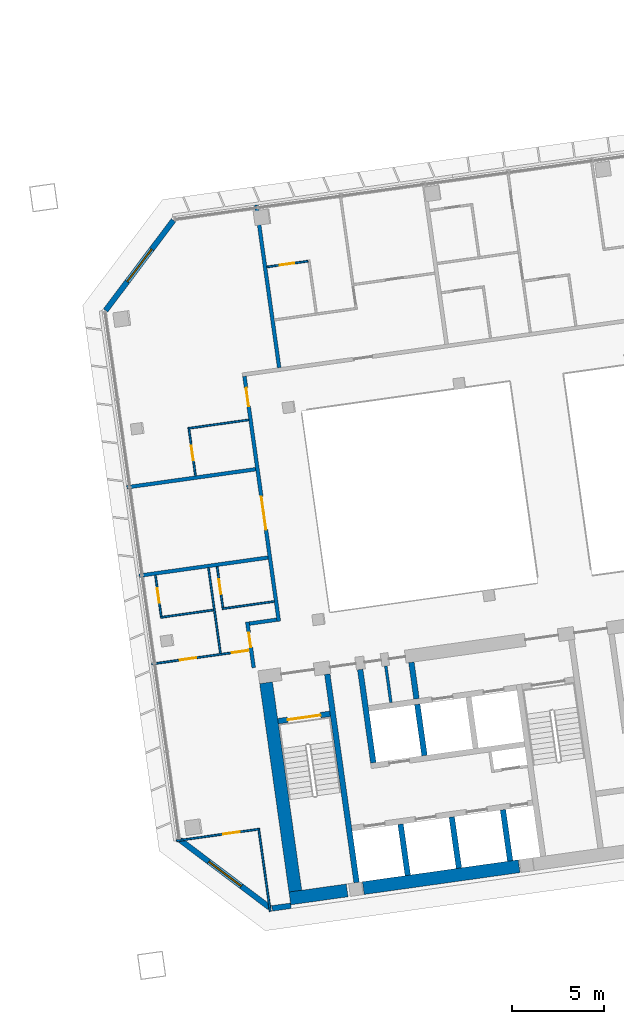
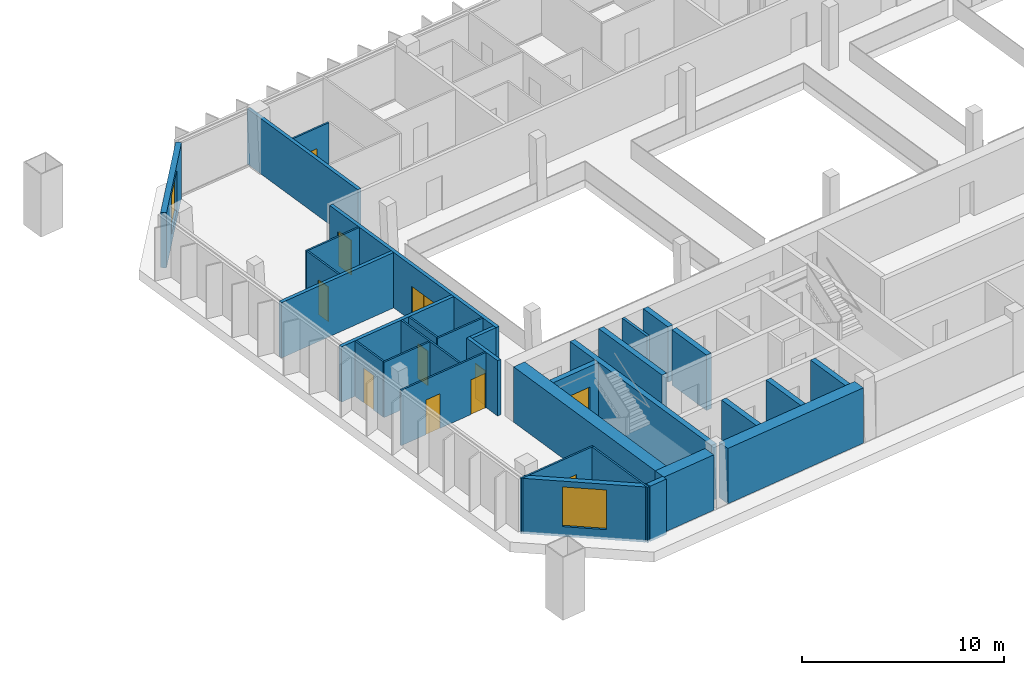
# One storey, part 17 of 23: 32 walls, 11 doors, 2 windows, 13 openings.
"""IFC4 building model written with IfcOpenShell, lengths in metres."""

from ifc_helpers import new_model, si_unit, direction, frame, frame_2d, origin, place, context, subcontext, project, spatial, rectangle, extrude, material, layer, layer_set, type_object, element, fill, save


model = new_model("IFC4")

# Units and contexts
model_context = context("Model", 3, precision=1e-05, world=origin(), true_north=direction((0.0, 1.0)))
body_context = subcontext(model_context, "Body", "Model", "MODEL_VIEW")
ifc_project = project(units=[si_unit("LENGTHUNIT", "METRE"), si_unit("AREAUNIT", "SQUARE_METRE"), si_unit("VOLUMEUNIT", "CUBIC_METRE"), si_unit("PLANEANGLEUNIT", "RADIAN"), si_unit("MASSUNIT", "GRAM", prefix="KILO")], contexts=[model_context])

# Site, building, storey
site_placement = place(None, origin())
site = spatial("IfcSite", under=ifc_project, at=site_placement, CompositionType="ELEMENT")
building_placement = place(site_placement, origin())
building = spatial("IfcBuilding", under=site, at=building_placement, Name="Mirante Cascada Hotel Towers", CompositionType="ELEMENT")
storey_placement = place(building_placement, frame((0.0, 0.0, 180.2)))
storey = spatial("IfcBuildingStorey", under=building, at=storey_placement, Name="L42", CompositionType="ELEMENT", Elevation=180.2)

# Walls
ifc_material_1 = material(Name="Fire-rated plasterboard on metal studs")
ifc_layer_1 = layer(ifc_material_1, 0.2)
ifc_layer_set_1 = layer_set([ifc_layer_1], Name="Compartment wall 200 EI 120")
wall_type_1 = type_object("IfcWallType", Name="Compartment wall 200 EI 120", PredefinedType="PARTITIONING", material=ifc_layer_set_1)
wall_1_placement = place(storey_placement, frame((35.0284, -4.7267, 0.0), z_axis=(0.0, 0.0, 1.0), x_axis=(0.9902735, 0.1391343, 0.0)))
element("IfcWall", 1, at=wall_1_placement, inside=storey, type_object=wall_type_1, Name="Wall 2-L42-03", PredefinedType="PARTITIONING", context=body_context, shape_type="SweptSolid", body=[
    extrude(rectangle(XDim=1.5, YDim=0.2, at=frame_2d((0.75, 0.0))), origin(), (0.0, 0.0, 1.0), 3.35),
])
for number, where, z_axis, x_axis, name in (
    (2, (36.0406, -1.151, 0.0), (0.0, 0.0, 1.0), (-0.9902679, -0.1391744, 0.0), "Wall 2-L42-06"),
    (3, (28.3886, 2.6543, 0.0), (0.0, 0.0, 1.0), (0.9902679, 0.1391744, 0.0), "Wall 2-L42-07"),
):
    element("IfcWall", number, at=place(storey_placement, frame(where, z_axis=z_axis, x_axis=x_axis)), inside=storey, type_object=wall_type_1, Name=name, PredefinedType="PARTITIONING", context=body_context, shape_type="SweptSolid", body=[
        extrude(rectangle(XDim=7.048, YDim=0.2, at=frame_2d((3.524, 0.0))), origin(), (0.0, 0.0, 1.0), 3.35),
    ])

# Wall, opening, door
wall_2_placement = place(storey_placement, frame((34.9155, -4.6416, 0.0), z_axis=(0.0, 0.0, 1.0), x_axis=(0.1391586, -0.9902701, 0.0)))
wall_2 = element("IfcWall", 4, at=wall_2_placement, inside=storey, type_object=wall_type_1, Name="Wall 2-L42-26", PredefinedType="PARTITIONING", context=body_context, shape_type="SweptSolid", body=[
    extrude(rectangle(XDim=2.5, YDim=0.2, at=frame_2d((1.25, 0.0))), origin(), (0.0, 0.0, 1.0), 3.35),
])
opening_1_placement = place(wall_2_placement, frame((0.5833, 0.0, 0.0)))
opening_1 = element("IfcOpeningElement", 5, at=opening_1_placement, cuts=wall_2, Name="Opening D2-L42-21", PredefinedType="OPENING", context=body_context, shape_type="SweptSolid", body=[
    extrude(rectangle(XDim=0.8, YDim=2.1, at=frame_2d((0.4, 1.05))), frame((0.0, 0.1, 0.0), z_axis=(0.0, -1.0, 0.0), x_axis=(1.0, 0.0, 0.0)), (0.0, 0.0, 1.0), 0.2),
])
ifc_material_2 = material(Name="Fire-rated timber door leaf", Category="wood")
door_type_1 = type_object("IfcDoorType", Name="Bathroom door DG4 800x2100 EI 60", OperationType="SINGLE_SWING_LEFT", PredefinedType="DOOR", material=ifc_material_2)
door_1_placement = place(opening_1_placement, origin())
door_1 = element("IfcDoor", 6, at=door_1_placement, inside=storey, type_object=door_type_1, Name="Door D2-L42-21", OperationType="SINGLE_SWING_LEFT", OverallHeight=2.1, OverallWidth=0.8, PredefinedType="DOOR", context=body_context, shape_type="SweptSolid", body=[
    extrude(rectangle(XDim=0.8, YDim=2.1, at=frame_2d((0.4, 1.05))), frame((0.0, 0.025, 0.0), z_axis=(0.0, -1.0, 0.0), x_axis=(1.0, 0.0, 0.0)), (0.0, 0.0, 1.0), 0.05),
])
fill(opening_1, door_1)

# Wall, openings, doors
wall_3_placement = place(storey_placement, frame((36.6268, -4.6031, 0.0), z_axis=(0.0, 0.0, 1.0), x_axis=(-0.1391789, 0.9902673, 0.0)))
wall_3 = element("IfcWall", 7, at=wall_3_placement, inside=storey, type_object=wall_type_1, Name="Wall 2-L42-27", PredefinedType="PARTITIONING", context=body_context, shape_type="SweptSolid", body=[
    extrude(rectangle(XDim=13.4, YDim=0.2, at=frame_2d((6.7, 0.0))), origin(), (0.0, 0.0, 1.0), 3.35),
])
opening_2_placement = place(wall_3_placement, frame((5.0167, 0.0, 0.0)))
opening_2 = element("IfcOpeningElement", 8, at=opening_2_placement, cuts=wall_3, Name="Opening D2-L42-22", PredefinedType="OPENING", context=body_context, shape_type="SweptSolid", body=[
    extrude(rectangle(XDim=1.8, YDim=2.1, at=frame_2d((0.9, 1.05))), frame((0.0, 0.1, 0.0), z_axis=(0.0, -1.0, 0.0), x_axis=(1.0, 0.0, 0.0)), (0.0, 0.0, 1.0), 0.2),
])
opening_3_placement = place(wall_3_placement, frame((11.7667, 0.0, 0.0)))
opening_3 = element("IfcOpeningElement", 9, at=opening_3_placement, cuts=wall_3, Name="Opening D2-L42-23", PredefinedType="OPENING", context=body_context, shape_type="SweptSolid", body=[
    extrude(rectangle(XDim=1.0, YDim=2.1, at=frame_2d((0.5, 1.05))), frame((0.0, 0.1, 0.0), z_axis=(0.0, -1.0, 0.0), x_axis=(1.0, 0.0, 0.0)), (0.0, 0.0, 1.0), 0.2),
])
ifc_material_3 = material(Name="Fire-rated timber door leaf", Category="wood")
door_type_2 = type_object("IfcDoorType", Name="Entrance door DG1 1000x2100 EI 60", OperationType="SINGLE_SWING_LEFT", PredefinedType="DOOR", material=ifc_material_3)
door_2_placement = place(opening_3_placement, origin())
door_2 = element("IfcDoor", 10, at=door_2_placement, inside=storey, type_object=door_type_2, Name="Door D2-L42-23", OperationType="SINGLE_SWING_LEFT", OverallHeight=2.1, OverallWidth=1.0, PredefinedType="DOOR", context=body_context, shape_type="SweptSolid", body=[
    extrude(rectangle(XDim=1.0, YDim=2.1, at=frame_2d((0.5, 1.05))), frame((0.0, 0.025, 0.0), z_axis=(0.0, -1.0, 0.0), x_axis=(1.0, 0.0, 0.0)), (0.0, 0.0, 1.0), 0.05),
])
fill(opening_3, door_2)
ifc_material_4 = material(Name="Fire-rated timber door leaf", Category="wood")
door_type_3 = type_object("IfcDoorType", Name="Suite double door DG2 1800x2100 EI 60", OperationType="DOUBLE_DOOR_SINGLE_SWING", PredefinedType="DOOR", material=ifc_material_4)
door_3_placement = place(opening_2_placement, origin())
door_3 = element("IfcDoor", 11, at=door_3_placement, inside=storey, type_object=door_type_3, Name="Door D2-L42-22", OperationType="DOUBLE_DOOR_SINGLE_SWING", OverallHeight=2.1, OverallWidth=1.8, PredefinedType="DOOR", context=body_context, shape_type="SweptSolid", body=[
    extrude(rectangle(XDim=0.895, YDim=2.1, at=frame_2d((0.4475, 1.05))), frame((0.0, 0.025, 0.0), z_axis=(0.0, -1.0, 0.0), x_axis=(1.0, 0.0, 0.0)), (0.0, 0.0, 1.0), 0.05),
    extrude(rectangle(XDim=0.895, YDim=2.1, at=frame_2d((1.3525, 1.05))), frame((0.0, 0.025, 0.0), z_axis=(0.0, -1.0, 0.0), x_axis=(1.0, 0.0, 0.0)), (0.0, 0.0, 1.0), 0.05),
])
fill(opening_2, door_3)

# Walls
wall_4_placement = place(storey_placement, frame((35.4076, 17.9467, 0.0), z_axis=(0.0, 0.0, 1.0), x_axis=(0.1391684, -0.9902687, 0.0)))
element("IfcWall", 12, at=wall_4_placement, inside=storey, type_object=wall_type_1, Name="Wall 2-L42-28", PredefinedType="PARTITIONING", context=body_context, shape_type="SweptSolid", body=[
    extrude(rectangle(XDim=8.9, YDim=0.2, at=frame_2d((4.45, 0.0))), origin(), (0.0, 0.0, 1.0), 3.35),
])
ifc_material_5 = material(Name="Masonry block", Category="masonry")
ifc_layer_2 = layer(ifc_material_5, 0.15)
ifc_layer_set_2 = layer_set([ifc_layer_2], Name="Core room partition 150 block EI 30")
wall_type_2 = type_object("IfcWallType", Name="Core room partition 150 block EI 30", PredefinedType="PARTITIONING", material=ifc_layer_set_2)
wall_5_placement = place(storey_placement, frame((42.6979, -9.0009, 0.0), z_axis=(0.0, 0.0, 1.0), x_axis=(-0.1391529, 0.9902709, 0.0)))
element("IfcWall", 13, at=wall_5_placement, inside=storey, type_object=wall_type_2, Name="Core wall partition T2 L42 4", PredefinedType="PARTITIONING", context=body_context, shape_type="SweptSolid", body=[
    extrude(rectangle(XDim=2.0, YDim=0.15, at=frame_2d((1.0, 0.0))), origin(), (0.0, 0.0, 1.0), 3.35),
])
ifc_material_6 = material(Name="Masonry block", Category="masonry")
ifc_layer_3 = layer(ifc_material_6, 0.3)
ifc_layer_set_3 = layer_set([ifc_layer_3], Name="Core wall 300 block EI 120")
wall_type_3 = type_object("IfcWallType", Name="Core wall 300 block EI 120", PredefinedType="PARTITIONING", material=ifc_layer_set_3)
wall_6_placement = place(storey_placement, frame((44.0843, -8.8061, 0.0), z_axis=(0.0, 0.0, 1.0), x_axis=(-0.1391951, 0.990265, 0.0)))
element("IfcWall", 14, at=wall_6_placement, inside=storey, type_object=wall_type_3, Name="Core wall partition T2 L42 1", PredefinedType="PARTITIONING", context=body_context, shape_type="SweptSolid", body=[
    extrude(rectangle(XDim=2.0001, YDim=0.3, at=frame_2d((1.0001, 0.0))), origin(), (0.0, 0.0, 1.0), 3.35),
])

# Wall, opening, door
ifc_material_7 = material(Name="Plasterboard on metal studs")
ifc_layer_4 = layer(ifc_material_7, 0.1)
ifc_layer_set_4 = layer_set([ifc_layer_4], Name="Partition 100")
wall_type_4 = type_object("IfcWallType", Name="Partition 100", PredefinedType="PARTITIONING", material=ifc_layer_set_4)
wall_7_placement = place(storey_placement, frame((31.0792, -16.4908, 0.0), z_axis=(0.0, 0.0, 1.0), x_axis=(0.9902695, 0.1391626, 0.0)))
wall_7 = element("IfcWall", 15, at=wall_7_placement, inside=storey, type_object=wall_type_4, Name="Wall 2-L42-01", PredefinedType="PARTITIONING", context=body_context, shape_type="SweptSolid", body=[
    extrude(rectangle(XDim=4.5501, YDim=0.1, at=frame_2d((2.275, 0.0))), origin(), (0.0, 0.0, 1.0), 3.35),
])
opening_4_placement = place(wall_7_placement, frame((2.5692, 0.0, 0.0)))
opening_4 = element("IfcOpeningElement", 16, at=opening_4_placement, cuts=wall_7, Name="Opening D2-L42-01", PredefinedType="OPENING", context=body_context, shape_type="SweptSolid", body=[
    extrude(rectangle(XDim=0.9, YDim=2.1, at=frame_2d((0.45, 1.05))), frame((0.0, 0.05, 0.0), z_axis=(0.0, -1.0, 0.0), x_axis=(1.0, 0.0, 0.0)), (0.0, 0.0, 1.0), 0.1),
])
ifc_material_8 = material(Name="Timber door leaf", Category="wood")
door_type_4 = type_object("IfcDoorType", Name="Room door DG3 900x2100", OperationType="SINGLE_SWING_LEFT", PredefinedType="DOOR", material=ifc_material_8)
door_4_placement = place(opening_4_placement, origin())
door_4 = element("IfcDoor", 17, at=door_4_placement, inside=storey, type_object=door_type_4, Name="Door D2-L42-01", OperationType="SINGLE_SWING_LEFT", OverallHeight=2.1, OverallWidth=0.9, PredefinedType="DOOR", context=body_context, shape_type="SweptSolid", body=[
    extrude(rectangle(XDim=0.9, YDim=2.1, at=frame_2d((0.45, 1.05))), frame((0.0, 0.025, 0.0), z_axis=(0.0, -1.0, 0.0), x_axis=(1.0, 0.0, 0.0)), (0.0, 0.0, 1.0), 0.05),
])
fill(opening_4, door_4)

# Wall, openings, doors
wall_8_placement = place(storey_placement, frame((35.0298, -6.1739, 0.0), z_axis=(0.0, 0.0, 1.0), x_axis=(-0.9902678, -0.1391749, 0.0)))
wall_8 = element("IfcWall", 18, at=wall_8_placement, inside=storey, type_object=wall_type_4, Name="Wall 2-L42-02", PredefinedType="PARTITIONING", context=body_context, shape_type="SweptSolid", body=[
    extrude(rectangle(XDim=5.3479, YDim=0.1, at=frame_2d((2.674, 0.0))), origin(), (0.0, 0.0, 1.0), 3.35),
])
opening_5_placement = place(wall_8_placement, frame((2.898, 0.0, 0.0)))
opening_5 = element("IfcOpeningElement", 19, at=opening_5_placement, cuts=wall_8, Name="Opening D2-L42-02", PredefinedType="OPENING", context=body_context, shape_type="SweptSolid", body=[
    extrude(rectangle(XDim=0.9, YDim=2.1, at=frame_2d((0.45, 1.05))), frame((0.0, 0.05, 0.0), z_axis=(0.0, -1.0, 0.0), x_axis=(1.0, 0.0, 0.0)), (0.0, 0.0, 1.0), 0.1),
])
opening_6_placement = place(wall_8_placement, frame((0.05, 0.0, 0.0)))
opening_6 = element("IfcOpeningElement", 20, at=opening_6_placement, cuts=wall_8, Name="Opening D2-L42-03", PredefinedType="OPENING", context=body_context, shape_type="SweptSolid", body=[
    extrude(rectangle(XDim=0.9, YDim=2.1, at=frame_2d((0.45, 1.05))), frame((0.0, 0.05, 0.0), z_axis=(0.0, -1.0, 0.0), x_axis=(1.0, 0.0, 0.0)), (0.0, 0.0, 1.0), 0.1),
])
door_5_placement = place(opening_5_placement, origin())
door_5 = element("IfcDoor", 21, at=door_5_placement, inside=storey, type_object=door_type_4, Name="Door D2-L42-02", OperationType="SINGLE_SWING_LEFT", OverallHeight=2.1, OverallWidth=0.9, PredefinedType="DOOR", context=body_context, shape_type="SweptSolid", body=[
    extrude(rectangle(XDim=0.9, YDim=2.1, at=frame_2d((0.45, 1.05))), frame((0.0, 0.025, 0.0), z_axis=(0.0, -1.0, 0.0), x_axis=(1.0, 0.0, 0.0)), (0.0, 0.0, 1.0), 0.05),
])
fill(opening_5, door_5)
door_6_placement = place(opening_6_placement, origin())
door_6 = element("IfcDoor", 22, at=door_6_placement, inside=storey, type_object=door_type_4, Name="Door D2-L42-03", OperationType="SINGLE_SWING_LEFT", OverallHeight=2.1, OverallWidth=0.9, PredefinedType="DOOR", context=body_context, shape_type="SweptSolid", body=[
    extrude(rectangle(XDim=0.9, YDim=2.1, at=frame_2d((0.45, 1.05))), frame((0.0, 0.025, 0.0), z_axis=(0.0, -1.0, 0.0), x_axis=(1.0, 0.0, 0.0)), (0.0, 0.0, 1.0), 0.05),
])
fill(opening_6, door_6)

# Walls
wall_9_placement = place(storey_placement, frame((33.083, -3.9903, 0.0), z_axis=(0.0, 0.0, 1.0), x_axis=(-0.9902683, -0.1391714, 0.0)))
element("IfcWall", 23, at=wall_9_placement, inside=storey, type_object=wall_type_4, Name="Wall 2-L42-04", PredefinedType="PARTITIONING", context=body_context, shape_type="SweptSolid", body=[
    extrude(rectangle(XDim=2.9, YDim=0.1, at=frame_2d((1.45, 0.0))), origin(), (0.0, 0.0, 1.0), 3.35),
])
wall_10_placement = place(storey_placement, frame((33.5524, -3.9243, 0.0), z_axis=(0.0, 0.0, 1.0), x_axis=(0.9902704, 0.1391564, 0.0)))
element("IfcWall", 24, at=wall_10_placement, inside=storey, type_object=wall_type_4, Name="Wall 2-L42-05", PredefinedType="PARTITIONING", context=body_context, shape_type="SweptSolid", body=[
    extrude(rectangle(XDim=2.85, YDim=0.1, at=frame_2d((1.425, 0.0))), origin(), (0.0, 0.0, 1.0), 3.35),
])
wall_11_placement = place(storey_placement, frame((34.9922, 6.3089, 0.0), z_axis=(0.0, 0.0, 1.0), x_axis=(-0.9902682, -0.1391719, 0.0)))
element("IfcWall", 25, at=wall_11_placement, inside=storey, type_object=wall_type_4, Name="Wall 2-L42-08", PredefinedType="PARTITIONING", context=body_context, shape_type="SweptSolid", body=[
    extrude(rectangle(XDim=3.3239, YDim=0.1, at=frame_2d((1.662, 0.0))), origin(), (0.0, 0.0, 1.0), 3.35),
])

# Wall, opening, door
wall_12_placement = place(storey_placement, frame((38.2079, 14.9069, 0.0), z_axis=(0.0, 0.0, 1.0), x_axis=(-0.9902643, -0.1391997, 0.0)))
wall_12 = element("IfcWall", 26, at=wall_12_placement, inside=storey, type_object=wall_type_4, Name="Wall 2-L42-18", PredefinedType="PARTITIONING", context=body_context, shape_type="SweptSolid", body=[
    extrude(rectangle(XDim=2.25, YDim=0.1, at=frame_2d((1.125, 0.0))), origin(), (0.0, 0.0, 1.0), 3.35),
])
opening_7_placement = place(wall_12_placement, frame((0.75, 0.0, 0.0)))
opening_7 = element("IfcOpeningElement", 27, at=opening_7_placement, cuts=wall_12, Name="Opening D2-L42-15", PredefinedType="OPENING", context=body_context, shape_type="SweptSolid", body=[
    extrude(rectangle(XDim=0.8, YDim=2.1, at=frame_2d((0.4, 1.05))), frame((0.0, 0.05, 0.0), z_axis=(0.0, -1.0, 0.0), x_axis=(1.0, 0.0, 0.0)), (0.0, 0.0, 1.0), 0.1),
])
ifc_material_9 = material(Name="Timber door leaf", Category="wood")
door_type_5 = type_object("IfcDoorType", Name="Bathroom door DG4 800x2100", OperationType="SINGLE_SWING_LEFT", PredefinedType="DOOR", material=ifc_material_9)
door_7_placement = place(opening_7_placement, frame((0.8, 0.0, 0.0), z_axis=(0.0, 0.0, 1.0), x_axis=(-1.0, 0.0, 0.0)))
door_7 = element("IfcDoor", 28, at=door_7_placement, inside=storey, type_object=door_type_5, Name="Door D2-L42-15", OperationType="SINGLE_SWING_RIGHT", OverallHeight=2.1, OverallWidth=0.8, PredefinedType="DOOR", context=body_context, shape_type="SweptSolid", body=[
    extrude(rectangle(XDim=0.8, YDim=2.1, at=frame_2d((0.4, 1.05))), frame((0.0, 0.025, 0.0), z_axis=(0.0, -1.0, 0.0), x_axis=(1.0, 0.0, 0.0)), (0.0, 0.0, 1.0), 0.05),
])
fill(opening_7, door_7)

wall_13_placement = place(storey_placement, frame((30.2538, -4.3374, 0.0), z_axis=(0.0, 0.0, 1.0), x_axis=(-0.1391997, 0.9902643, 0.0)))
wall_13 = element("IfcWall", 29, at=wall_13_placement, inside=storey, type_object=wall_type_4, Name="Wall 2-L42-21", PredefinedType="PARTITIONING", context=body_context, shape_type="SweptSolid", body=[
    extrude(rectangle(XDim=2.25, YDim=0.1, at=frame_2d((1.125, 0.0))), origin(), (0.0, 0.0, 1.0), 3.35),
])
opening_8_placement = place(wall_13_placement, frame((0.75, 0.0, 0.0)))
opening_8 = element("IfcOpeningElement", 30, at=opening_8_placement, cuts=wall_13, Name="Opening D2-L42-18", PredefinedType="OPENING", context=body_context, shape_type="SweptSolid", body=[
    extrude(rectangle(XDim=0.8, YDim=2.1, at=frame_2d((0.4, 1.05))), frame((0.0, 0.05, 0.0), z_axis=(0.0, -1.0, 0.0), x_axis=(1.0, 0.0, 0.0)), (0.0, 0.0, 1.0), 0.1),
])
door_8_placement = place(opening_8_placement, frame((0.8, 0.0, 0.0), z_axis=(0.0, 0.0, 1.0), x_axis=(-1.0, 0.0, 0.0)))
door_8 = element("IfcDoor", 31, at=door_8_placement, inside=storey, type_object=door_type_5, Name="Door D2-L42-18", OperationType="SINGLE_SWING_RIGHT", OverallHeight=2.1, OverallWidth=0.8, PredefinedType="DOOR", context=body_context, shape_type="SweptSolid", body=[
    extrude(rectangle(XDim=0.8, YDim=2.1, at=frame_2d((0.4, 1.05))), frame((0.0, 0.025, 0.0), z_axis=(0.0, -1.0, 0.0), x_axis=(1.0, 0.0, 0.0)), (0.0, 0.0, 1.0), 0.05),
])
fill(opening_8, door_8)

# Wall
wall_14_placement = place(storey_placement, frame((32.8124, -1.7057, 0.0), z_axis=(0.0, 0.0, 1.0), x_axis=(0.139176, -0.9902677, 0.0)))
element("IfcWall", 32, at=wall_14_placement, inside=storey, type_object=wall_type_4, Name="Wall 2-L42-22", PredefinedType="PARTITIONING", context=body_context, shape_type="SweptSolid", body=[
    extrude(rectangle(XDim=4.6833, YDim=0.1, at=frame_2d((2.3416, 0.0))), origin(), (0.0, 0.0, 1.0), 3.35),
])

# Wall, opening, door
wall_15_placement = place(storey_placement, frame((32.1119, 3.2786, 0.0), z_axis=(0.0, 0.0, 1.0), x_axis=(-0.1391755, 0.9902677, 0.0)))
wall_15 = element("IfcWall", 33, at=wall_15_placement, inside=storey, type_object=wall_type_4, Name="Wall 2-L42-23", PredefinedType="PARTITIONING", context=body_context, shape_type="SweptSolid", body=[
    extrude(rectangle(XDim=2.55, YDim=0.1, at=frame_2d((1.275, 0.0))), origin(), (0.0, 0.0, 1.0), 3.35),
])
opening_9_placement = place(wall_15_placement, frame((0.85, 0.0, 0.0)))
opening_9 = element("IfcOpeningElement", 34, at=opening_9_placement, cuts=wall_15, Name="Opening D2-L42-19", PredefinedType="OPENING", context=body_context, shape_type="SweptSolid", body=[
    extrude(rectangle(XDim=0.8, YDim=2.1, at=frame_2d((0.4, 1.05))), frame((0.0, 0.05, 0.0), z_axis=(0.0, -1.0, 0.0), x_axis=(1.0, 0.0, 0.0)), (0.0, 0.0, 1.0), 0.1),
])
door_9_placement = place(opening_9_placement, frame((0.8, 0.0, 0.0), z_axis=(0.0, 0.0, 1.0), x_axis=(-1.0, 0.0, 0.0)))
door_9 = element("IfcDoor", 35, at=door_9_placement, inside=storey, type_object=door_type_5, Name="Door D2-L42-19", OperationType="SINGLE_SWING_RIGHT", OverallHeight=2.1, OverallWidth=0.8, PredefinedType="DOOR", context=body_context, shape_type="SweptSolid", body=[
    extrude(rectangle(XDim=0.8, YDim=2.1, at=frame_2d((0.4, 1.05))), frame((0.0, 0.025, 0.0), z_axis=(0.0, -1.0, 0.0), x_axis=(1.0, 0.0, 0.0)), (0.0, 0.0, 1.0), 0.05),
])
fill(opening_9, door_9)

wall_16_placement = place(storey_placement, frame((33.2818, -1.6398, 0.0), z_axis=(0.0, 0.0, 1.0), x_axis=(0.1391561, -0.9902705, 0.0)))
wall_16 = element("IfcWall", 36, at=wall_16_placement, inside=storey, type_object=wall_type_4, Name="Wall 2-L42-24", PredefinedType="PARTITIONING", context=body_context, shape_type="SweptSolid", body=[
    extrude(rectangle(XDim=2.25, YDim=0.1, at=frame_2d((1.125, 0.0))), origin(), (0.0, 0.0, 1.0), 3.35),
])
opening_10_placement = place(wall_16_placement, frame((0.7, 0.0, 0.0)))
opening_10 = element("IfcOpeningElement", 37, at=opening_10_placement, cuts=wall_16, Name="Opening D2-L42-20", PredefinedType="OPENING", context=body_context, shape_type="SweptSolid", body=[
    extrude(rectangle(XDim=0.8, YDim=2.1, at=frame_2d((0.4, 1.05))), frame((0.0, 0.05, 0.0), z_axis=(0.0, -1.0, 0.0), x_axis=(1.0, 0.0, 0.0)), (0.0, 0.0, 1.0), 0.1),
])
door_10_placement = place(opening_10_placement, origin())
door_10 = element("IfcDoor", 38, at=door_10_placement, inside=storey, type_object=door_type_5, Name="Door D2-L42-20", OperationType="SINGLE_SWING_LEFT", OverallHeight=2.1, OverallWidth=0.8, PredefinedType="DOOR", context=body_context, shape_type="SweptSolid", body=[
    extrude(rectangle(XDim=0.8, YDim=2.1, at=frame_2d((0.4, 1.05))), frame((0.0, 0.025, 0.0), z_axis=(0.0, -1.0, 0.0), x_axis=(1.0, 0.0, 0.0)), (0.0, 0.0, 1.0), 0.05),
])
fill(opening_10, door_10)

# Walls
wall_17_placement = place(storey_placement, frame((36.1617, -20.3208, 0.0), z_axis=(0.0, 0.0, 1.0), x_axis=(-0.1391684, 0.9902687, 0.0)))
element("IfcWall", 39, at=wall_17_placement, inside=storey, type_object=wall_type_4, Name="Wall 2-L42-25", PredefinedType="PARTITIONING", context=body_context, shape_type="SweptSolid", body=[
    extrude(rectangle(XDim=4.45, YDim=0.1, at=frame_2d((2.225, 0.0))), origin(), (0.0, 0.0, 1.0), 3.35),
])
ifc_material_10 = material(Name="Precast concrete C40/50", Category="concrete")
ifc_layer_5 = layer(ifc_material_10, 0.3)
ifc_layer_set_5 = layer_set([ifc_layer_5], Name="Precast concrete C40/50 cladding wall 300")
wall_type_5 = type_object("IfcWallType", Name="Precast concrete C40/50 cladding wall 300", PredefinedType="STANDARD", material=ifc_layer_set_5)
wall_18_placement = place(storey_placement, frame((36.2637, -20.1549, 0.0), z_axis=(0.0, 0.0, 1.0), x_axis=(0.9902692, 0.1391651, 0.0)))
element("IfcWall", 40, at=wall_18_placement, inside=storey, type_object=wall_type_5, Name="Rear cladding wall T2 L42 1", PredefinedType="STANDARD", context=body_context, shape_type="SweptSolid", body=[
    extrude(rectangle(XDim=1.024, YDim=0.3, at=frame_2d((0.512, 0.0))), origin(), (0.0, 0.0, 1.0), 3.35),
])

# Wall, opening, window
wall_19_placement = place(storey_placement, frame((30.9182, 17.12, 0.0), z_axis=(0.0, 0.0, 1.0), x_axis=(-0.6018141, -0.7986362, 0.0)))
wall_19 = element("IfcWall", 41, at=wall_19_placement, inside=storey, type_object=wall_type_5, Name="Corner cladding wall T2 L42 front inner", PredefinedType="STANDARD", context=body_context, shape_type="SweptSolid", body=[
    extrude(rectangle(XDim=6.1157, YDim=0.3, at=frame_2d((3.0578, 0.0))), origin(), (0.0, 0.0, 1.0), 3.35),
])
opening_11_placement = place(wall_19_placement, frame((1.9578, 0.0, 0.6)))
opening_11 = element("IfcOpeningElement", 42, at=opening_11_placement, cuts=wall_19, Name="Opening W2-42-03", PredefinedType="OPENING", context=body_context, shape_type="SweptSolid", body=[
    extrude(rectangle(XDim=2.2, YDim=2.4, at=frame_2d((1.1, 1.2))), frame((0.0, 0.15, 0.0), z_axis=(0.0, -1.0, 0.0), x_axis=(1.0, 0.0, 0.0)), (0.0, 0.0, 1.0), 0.3),
])
ifc_material_11 = material(Name="Aluminium frame with clear double glazing", Category="aluminium")
window_type = type_object("IfcWindowType", Name="Corner suite window 2200x2400", PartitioningType="DOUBLE_PANEL_VERTICAL", PredefinedType="WINDOW", material=ifc_material_11)
window_1_placement = place(opening_11_placement, origin())
window_1 = element("IfcWindow", 43, at=window_1_placement, inside=storey, type_object=window_type, Name="Window W2-42-03", OverallHeight=2.4, OverallWidth=2.2, PartitioningType="SINGLE_PANEL", PredefinedType="WINDOW", context=body_context, shape_type="SweptSolid", body=[
    extrude(rectangle(XDim=2.2, YDim=2.4, at=frame_2d((1.1, 1.2))), frame((0.0, 0.03, 0.0), z_axis=(0.0, -1.0, 0.0), x_axis=(1.0, 0.0, 0.0)), (0.0, 0.0, 1.0), 0.06),
])
fill(opening_11, window_1)

wall_20_placement = place(storey_placement, frame((31.2686, -16.4457, 0.0), z_axis=(0.0, 0.0, 1.0), x_axis=(0.7986283, -0.6018245, 0.0)))
wall_20 = element("IfcWall", 44, at=wall_20_placement, inside=storey, type_object=wall_type_5, Name="Corner cladding wall T2 L42 inner rear", PredefinedType="STANDARD", context=body_context, shape_type="SweptSolid", body=[
    extrude(rectangle(XDim=6.1157, YDim=0.3, at=frame_2d((3.0578, 0.0))), origin(), (0.0, 0.0, 1.0), 3.35),
])
opening_12_placement = place(wall_20_placement, frame((1.9578, 0.0, 0.6)))
opening_12 = element("IfcOpeningElement", 45, at=opening_12_placement, cuts=wall_20, Name="Opening W2-42-04", PredefinedType="OPENING", context=body_context, shape_type="SweptSolid", body=[
    extrude(rectangle(XDim=2.2, YDim=2.4, at=frame_2d((1.1, 1.2))), frame((0.0, 0.15, 0.0), z_axis=(0.0, -1.0, 0.0), x_axis=(1.0, 0.0, 0.0)), (0.0, 0.0, 1.0), 0.3),
])
window_2_placement = place(opening_12_placement, origin())
window_2 = element("IfcWindow", 46, at=window_2_placement, inside=storey, type_object=window_type, Name="Window W2-42-04", OverallHeight=2.4, OverallWidth=2.2, PartitioningType="SINGLE_PANEL", PredefinedType="WINDOW", context=body_context, shape_type="SweptSolid", body=[
    extrude(rectangle(XDim=2.2, YDim=2.4, at=frame_2d((1.1, 1.2))), frame((0.0, 0.03, 0.0), z_axis=(0.0, -1.0, 0.0), x_axis=(1.0, 0.0, 0.0)), (0.0, 0.0, 1.0), 0.06),
])
fill(opening_12, window_2)

# Wall
ifc_material_12 = material(Name="Concrete C50/60", Category="concrete")
ifc_layer_6 = layer(ifc_material_12, 0.3)
ifc_layer_set_6 = layer_set([ifc_layer_6], Name="RC core wall 300 C50/60")
wall_type_6 = type_object("IfcWallType", Name="RC core wall 300 C50/60", PredefinedType="SHEAR", material=ifc_layer_set_6)
wall_21_placement = place(storey_placement, frame((40.8373, -18.7548, 0.0), z_axis=(0.0, 0.0, 1.0), x_axis=(-0.1391749, 0.9902678, 0.0)))
element("IfcWall", 47, at=wall_21_placement, inside=storey, type_object=wall_type_6, Name="Core wall T2:L42:5", PredefinedType="SHEAR", context=body_context, shape_type="SweptSolid", body=[
    extrude(rectangle(XDim=11.4, YDim=0.3, at=frame_2d((5.7, 0.0))), origin(), (0.0, 0.0, 1.0), 3.35),
])

# Wall, opening, door
wall_22_placement = place(storey_placement, frame((36.5791, -10.0123, 0.0), z_axis=(0.0, 0.0, 1.0), x_axis=(0.9902704, 0.1391564, 0.0)))
wall_22 = element("IfcWall", 48, at=wall_22_placement, inside=storey, type_object=wall_type_6, Name="Core wall T2:L42:8", PredefinedType="SHEAR", context=body_context, shape_type="SweptSolid", body=[
    extrude(rectangle(XDim=2.85, YDim=0.3, at=frame_2d((1.425, 0.0))), origin(), (0.0, 0.0, 1.0), 3.35),
])
opening_13_placement = place(wall_22_placement, frame((0.525, 0.0, 0.0)))
opening_13 = element("IfcOpeningElement", 49, at=opening_13_placement, cuts=wall_22, Name="Opening D2-42-C07", PredefinedType="OPENING", context=body_context, shape_type="SweptSolid", body=[
    extrude(rectangle(XDim=1.8, YDim=2.1, at=frame_2d((0.9, 1.05))), frame((0.0, 0.15, 0.0), z_axis=(0.0, -1.0, 0.0), x_axis=(1.0, 0.0, 0.0)), (0.0, 0.0, 1.0), 0.3),
])
ifc_material_13 = material(Name="Hollow metal fire door leaf")
door_type_6 = type_object("IfcDoorType", Name="Double fire door 1800x2100 FD60", OperationType="DOUBLE_DOOR_SINGLE_SWING", PredefinedType="DOOR", material=ifc_material_13)
door_11_placement = place(opening_13_placement, frame((1.8, 0.0, 0.0), z_axis=(0.0, 0.0, 1.0), x_axis=(-1.0, 0.0, 0.0)))
door_11 = element("IfcDoor", 50, at=door_11_placement, inside=storey, type_object=door_type_6, Name="Stair door T2 L42 7", OperationType="DOUBLE_DOOR_SINGLE_SWING", OverallHeight=2.1, OverallWidth=1.8, PredefinedType="DOOR", context=body_context, shape_type="SweptSolid", body=[
    extrude(rectangle(XDim=0.895, YDim=2.1, at=frame_2d((0.4475, 1.05))), frame((0.0, 0.025, 0.0), z_axis=(0.0, -1.0, 0.0), x_axis=(1.0, 0.0, 0.0)), (0.0, 0.0, 1.0), 0.05),
    extrude(rectangle(XDim=0.895, YDim=2.1, at=frame_2d((1.3525, 1.05))), frame((0.0, 0.025, 0.0), z_axis=(0.0, -1.0, 0.0), x_axis=(1.0, 0.0, 0.0)), (0.0, 0.0, 1.0), 0.05),
])
fill(opening_13, door_11)

# Walls
wall_23_placement = place(storey_placement, frame((43.61, -18.3651, 0.0), z_axis=(0.0, 0.0, 1.0), x_axis=(-0.1391459, 0.9902719, 0.0)))
element("IfcWall", 51, at=wall_23_placement, inside=storey, type_object=wall_type_6, Name="Core wall T2:L42:13", PredefinedType="SHEAR", context=body_context, shape_type="SweptSolid", body=[
    extrude(rectangle(XDim=2.7999, YDim=0.3, at=frame_2d((1.4, 0.0))), origin(), (0.0, 0.0, 1.0), 3.35),
])
wall_24_placement = place(storey_placement, frame((46.3828, -17.9754, 0.0), z_axis=(0.0, 0.0, 1.0), x_axis=(-0.139181, 0.990267, 0.0)))
element("IfcWall", 52, at=wall_24_placement, inside=storey, type_object=wall_type_6, Name="Core wall T2:L42:14", PredefinedType="SHEAR", context=body_context, shape_type="SweptSolid", body=[
    extrude(rectangle(XDim=2.8, YDim=0.3, at=frame_2d((1.4, 0.0))), origin(), (0.0, 0.0, 1.0), 3.35),
])
wall_25_placement = place(storey_placement, frame((49.1555, -17.5857, 0.0), z_axis=(0.0, 0.0, 1.0), x_axis=(-0.1391459, 0.9902719, 0.0)))
element("IfcWall", 53, at=wall_25_placement, inside=storey, type_object=wall_type_6, Name="Core wall T2:L42:15", PredefinedType="SHEAR", context=body_context, shape_type="SweptSolid", body=[
    extrude(rectangle(XDim=2.7999, YDim=0.3, at=frame_2d((1.4, 0.0))), origin(), (0.0, 0.0, 1.0), 3.35),
])
wall_26_placement = place(storey_placement, frame((44.5157, -11.8759, 0.0), z_axis=(0.0, 0.0, 1.0), x_axis=(-0.139181, 0.990267, 0.0)))
element("IfcWall", 54, at=wall_26_placement, inside=storey, type_object=wall_type_6, Name="Core wall T2:L42:16", PredefinedType="SHEAR", context=body_context, shape_type="SweptSolid", body=[
    extrude(rectangle(XDim=2.8, YDim=0.3, at=frame_2d((1.4, 0.0))), origin(), (0.0, 0.0, 1.0), 3.35),
])
wall_27_placement = place(storey_placement, frame((41.743, -12.2656, 0.0), z_axis=(0.0, 0.0, 1.0), x_axis=(-0.1391755, 0.9902677, 0.0)))
element("IfcWall", 55, at=wall_27_placement, inside=storey, type_object=wall_type_6, Name="Core wall T2:L42:18", PredefinedType="SHEAR", context=body_context, shape_type="SweptSolid", body=[
    extrude(rectangle(XDim=5.1, YDim=0.3, at=frame_2d((2.55, 0.0))), origin(), (0.0, 0.0, 1.0), 3.35),
])
ifc_material_14 = material(Name="Concrete C50/60", Category="concrete")
ifc_layer_7 = layer(ifc_material_14, 0.7)
ifc_layer_set_7 = layer_set([ifc_layer_7], Name="RC core wall 700 C50/60")
wall_type_7 = type_object("IfcWallType", Name="RC core wall 700 C50/60", PredefinedType="SHEAR", material=ifc_layer_set_7)
wall_28_placement = place(storey_placement, frame((37.222, -19.6163, 0.0), z_axis=(0.0, 0.0, 1.0), x_axis=(0.9902683, 0.1391713, 0.0)))
element("IfcWall", 56, at=wall_28_placement, inside=storey, type_object=wall_type_7, Name="Core wall T2:L42:1.1", PredefinedType="SHEAR", context=body_context, shape_type="SweptSolid", body=[
    extrude(rectangle(XDim=3.1364, YDim=0.7, at=frame_2d((1.5682, 0.0))), origin(), (0.0, 0.0, 1.0), 3.35),
])
wall_29_placement = place(storey_placement, frame((41.2009, -19.0571, 0.0), z_axis=(0.0, 0.0, 1.0), x_axis=(0.9902693, 0.1391646, 0.0)))
element("IfcWall", 57, at=wall_29_placement, inside=storey, type_object=wall_type_7, Name="Core wall T2:L42:1.2", PredefinedType="SHEAR", context=body_context, shape_type="SweptSolid", body=[
    extrude(rectangle(XDim=8.5252, YDim=0.7, at=frame_2d((4.2626, 0.0))), origin(), (0.0, 0.0, 1.0), 3.35),
])
wall_30_placement = place(storey_placement, frame((37.5199, -19.221, 0.0), z_axis=(0.0, 0.0, 1.0), x_axis=(-0.1391761, 0.9902677, 0.0)))
element("IfcWall", 58, at=wall_30_placement, inside=storey, type_object=wall_type_7, Name="Core wall T2:L42:3", PredefinedType="SHEAR", context=body_context, shape_type="SweptSolid", body=[
    extrude(rectangle(XDim=11.3999, YDim=0.7, at=frame_2d((5.7, 0.0))), origin(), (0.0, 0.0, 1.0), 3.35),
])

save(model, "model.ifc")
